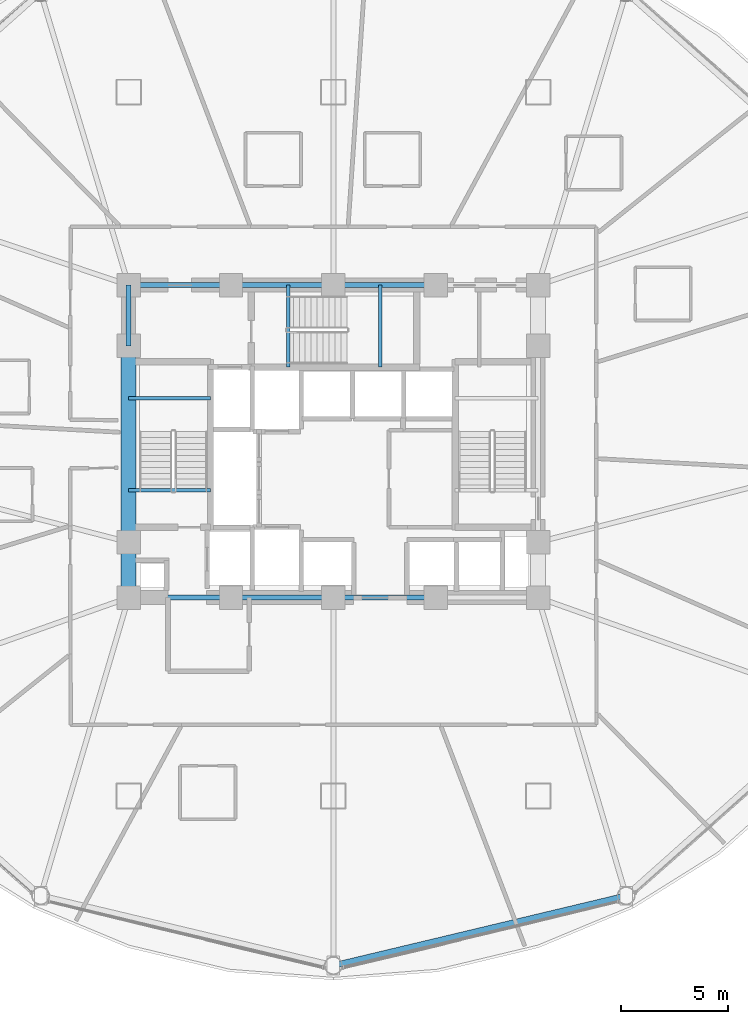
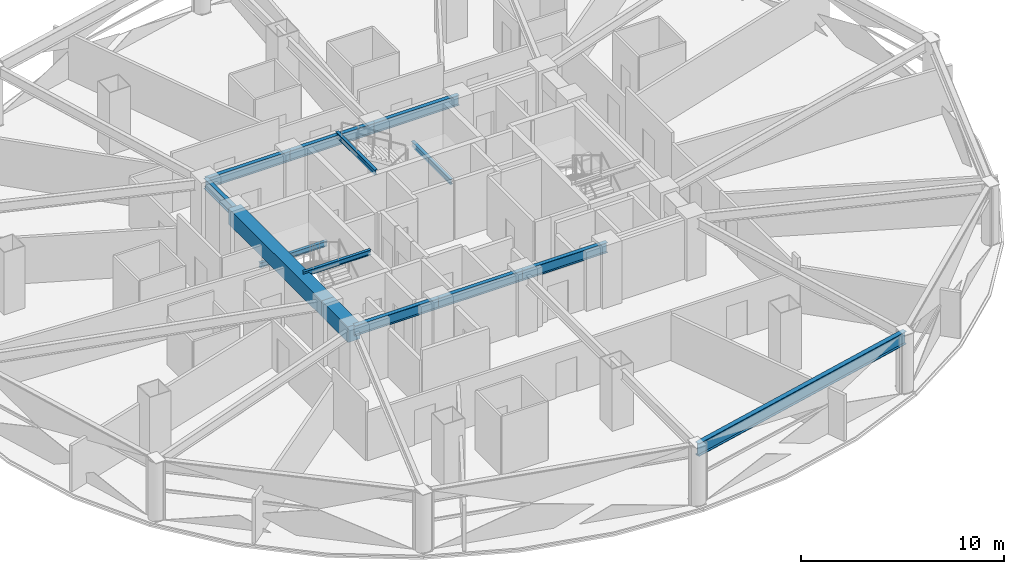
# One storey, part 7 of 29: 14 beams.
"""IFC4 building model written with IfcOpenShell, lengths in metres."""

from ifc_helpers import new_model, si_unit, direction, frame, origin, origin_2d, place, context, subcontext, project, spatial, rectangle, i_section, extrude, material, material_profile, profile_set, type_object, element, save


model = new_model("IFC4")

# Units and contexts
model_context = context("Model", 3, precision=1e-05, world=origin(), true_north=direction((0.0, 1.0)))
body_context = subcontext(model_context, "Body", "Model", "MODEL_VIEW")
ifc_project = project(units=[si_unit("LENGTHUNIT", "METRE"), si_unit("AREAUNIT", "SQUARE_METRE"), si_unit("VOLUMEUNIT", "CUBIC_METRE"), si_unit("PLANEANGLEUNIT", "RADIAN"), si_unit("MASSUNIT", "GRAM", prefix="KILO")], contexts=[model_context])

# Site, building, storey
site_placement = place(None, origin())
site = spatial("IfcSite", under=ifc_project, at=site_placement, CompositionType="ELEMENT")
building_placement = place(site_placement, origin())
building = spatial("IfcBuilding", under=site, at=building_placement, Name="Vantalir Tower", CompositionType="ELEMENT")
storey_placement = place(building_placement, frame((0.0, 0.0, 60.75)))
storey = spatial("IfcBuildingStorey", under=building, at=storey_placement, Name="L14", CompositionType="ELEMENT", Elevation=60.75)

# Beams
ifc_material_1 = material(Name="Concrete C60/75", Category="concrete")
ifc_material_profile_1 = material_profile(ifc_material_1, rectangle(XDim=0.699951171875, YDim=0.949951171875, at=origin_2d()), Name="Concrete C60/75")
ifc_profile_set_1 = profile_set([ifc_material_profile_1], Name="Concrete C60/75")
beam_type_1 = type_object("IfcBeamType", Name="BM-CB-700x950", PredefinedType="USERDEFINED", material=ifc_profile_set_1)
beam_1_placement = place(storey_placement, frame((21.89990234375, 29.60009765625, 3.094970703125), z_axis=(0.0, -1.0, 0.0), x_axis=(1.0, 0.0, 0.0)))
element("IfcBeam", 1, at=beam_1_placement, inside=storey, type_object=beam_type_1, Name="L14 Core Coupling Girder 13", ObjectType="GIRDER", PredefinedType="USERDEFINED", context=body_context, shape_type="SweptSolid", body=[
    extrude(rectangle(XDim=0.699951171875, YDim=0.949951171875, at=origin_2d()), origin(), (0.0, 0.0, 1.0), 9.2001953125),
])
beam_2_placement = place(storey_placement, frame((21.89990234375, 20.39990234375, 3.094970703125), z_axis=(0.0, -1.0, 0.0), x_axis=(1.0, 0.0, 0.0)))
element("IfcBeam", 2, at=beam_2_placement, inside=storey, type_object=beam_type_1, Name="L14 Core Coupling Girder 14", ObjectType="GIRDER", PredefinedType="USERDEFINED", context=body_context, shape_type="SweptSolid", body=[
    extrude(rectangle(XDim=0.699951171875, YDim=0.949951171875, at=origin_2d()), origin(), (0.0, 0.0, 1.0), 2.599853515625),
])
ifc_material_2 = material(Name="Steel S355", Category="steel")
ifc_material_profile_2 = material_profile(ifc_material_2, i_section(OverallWidth=0.166015625, OverallDepth=0.306884765625, WebThickness=0.006591796875, FlangeThickness=0.01171875, at=origin_2d()), Name="Steel S355")
ifc_profile_set_2 = profile_set([ifc_material_profile_2], Name="Steel S355")
beam_type_2 = type_object("IfcBeamType", Name="BM-JS-305x165", PredefinedType="JOIST", material=ifc_profile_set_2)
for number, where, z_axis, x_axis, name in (
    (3, (21.89990234375, 22.8349609375, 3.596923828125), (1.0, 0.0, 0.0), (0.0, 1.0, 0.0), "L15 Stair ST1 Well Nosing Trimmer Beam"),
    (4, (21.89990234375, 27.14501953125, 1.52099609375), (1.0, 0.0, 0.0), (0.0, 1.0, 0.0), "L14 Stair ST1 Half-Landing Support Beam"),
):
    element("IfcBeam", number, at=place(storey_placement, frame(where, z_axis=z_axis, x_axis=x_axis)), inside=storey, type_object=beam_type_2, Name=name, PredefinedType="JOIST", context=body_context, shape_type="SweptSolid", body=[
        extrude(i_section(OverallWidth=0.166015625, OverallDepth=0.306884765625, WebThickness=0.006591796875, FlangeThickness=0.01171875, at=origin_2d()), origin(), (0.0, 0.0, 1.0), 3.840087890625),
    ])
for number, where, z_axis, x_axis, name in (
    (5, (29.385009765625, 28.60009765625, 3.596923828125), (0.0, 1.0, 0.0), (-1.0, 0.0, 0.0), "L15 Stair ST3 Well Nosing Trimmer Beam"),
    (6, (33.695068359375, 28.60009765625, 1.52099609375), (0.0, 1.0, 0.0), (-1.0, 0.0, 0.0), "L14 Stair ST3 Half-Landing Support Beam"),
):
    element("IfcBeam", number, at=place(storey_placement, frame(where, z_axis=z_axis, x_axis=x_axis)), inside=storey, type_object=beam_type_2, Name=name, PredefinedType="JOIST", context=body_context, shape_type="SweptSolid", body=[
        extrude(i_section(OverallWidth=0.166015625, OverallDepth=0.306884765625, WebThickness=0.006591796875, FlangeThickness=0.01171875, at=origin_2d()), origin(), (0.0, 0.0, 1.0), 3.849853515625),
    ])
ifc_material_profile_3 = material_profile(ifc_material_2, i_section(OverallWidth=0.22998046875, OverallDepth=0.616943359375, WebThickness=0.01318359375, FlangeThickness=0.022216796875, at=origin_2d()), Name="Steel S355")
ifc_profile_set_3 = profile_set([ifc_material_profile_3], Name="Steel S355")
beam_type_3 = type_object("IfcBeamType", Name="BM-RB-610x229", PredefinedType="BEAM", material=ifc_profile_set_3)
for number, where, z_axis, x_axis, name in (
    (7, (21.89990234375, 17.800048828125, 3.261962890625), (1.0, 0.0, 0.0), (0.0, 1.0, 0.0), "L14 Core Coupling Girder 01"),
    (8, (26.699951171875, 17.800048828125, 3.261962890625), (1.0, 0.0, 0.0), (0.0, 1.0, 0.0), "L14 Core Coupling Girder 02"),
    (9, (31.5, 17.800048828125, 3.261962890625), (1.0, 0.0, 0.0), (0.0, 1.0, 0.0), "L14 Core Coupling Girder 03"),
    (10, (36.300048828125, 32.449951171875, 3.261962890625), (-1.0, 0.0, 0.0), (0.0, -1.0, 0.0), "L14 Core Coupling Girder 09"),
    (11, (31.5, 32.449951171875, 3.261962890625), (-1.0, 0.0, 0.0), (0.0, -1.0, 0.0), "L14 Core Coupling Girder 10"),
    (12, (26.699951171875, 32.449951171875, 3.261962890625), (-1.0, 0.0, 0.0), (0.0, -1.0, 0.0), "L14 Core Coupling Girder 11"),
):
    element("IfcBeam", number, at=place(storey_placement, frame(where, z_axis=z_axis, x_axis=x_axis)), inside=storey, type_object=beam_type_3, Name=name, PredefinedType="BEAM", context=body_context, shape_type="SweptSolid", body=[
        extrude(i_section(OverallWidth=0.22998046875, OverallDepth=0.616943359375, WebThickness=0.01318359375, FlangeThickness=0.022216796875, at=origin_2d()), origin(), (0.0, 0.0, 1.0), 4.800048828125),
    ])
beam_3_placement = place(storey_placement, frame((21.89990234375, 32.449951171875, 3.261962890625), z_axis=(0.0, -1.0, 0.0), x_axis=(1.0, 0.0, 0.0)))
element("IfcBeam", 13, at=beam_3_placement, inside=storey, type_object=beam_type_3, Name="L14 Core Coupling Girder 12", PredefinedType="BEAM", context=body_context, shape_type="SweptSolid", body=[
    extrude(i_section(OverallWidth=0.22998046875, OverallDepth=0.616943359375, WebThickness=0.01318359375, FlangeThickness=0.022216796875, at=origin_2d()), origin(), (0.0, 0.0, 1.0), 2.849853515625),
])
ifc_material_3 = material(Name="Steel S460", Category="steel")
ifc_material_profile_4 = material_profile(ifc_material_3, i_section(OverallWidth=0.26806640625, OverallDepth=0.77001953125, WebThickness=0.015625, FlangeThickness=0.025390625, at=origin_2d()), Name="Steel S460")
ifc_profile_set_4 = profile_set([ifc_material_profile_4], Name="Steel S460")
beam_type_4 = type_object("IfcBeamType", Name="BM-RG-762x267", PredefinedType="USERDEFINED", material=ifc_profile_set_4)
beam_4_placement = place(storey_placement, frame((31.5, 0.549072265625, 3.18505859375), z_axis=(0.97268207428, 0.232141298294, 0.0), x_axis=(-0.232141298294, 0.97268207428, 0.0)))
element("IfcBeam", 14, at=beam_4_placement, inside=storey, type_object=beam_type_4, Name="L14 Circumferential Ring Girder 10", ObjectType="GIRDER", PredefinedType="USERDEFINED", context=body_context, shape_type="SweptSolid", body=[
    extrude(i_section(OverallWidth=0.26806640625, OverallDepth=0.77001953125, WebThickness=0.015625, FlangeThickness=0.025390625, at=origin_2d()), origin(), (0.0, 0.0, 1.0), 14.111572265625),
])

save(model, "model.ifc")
